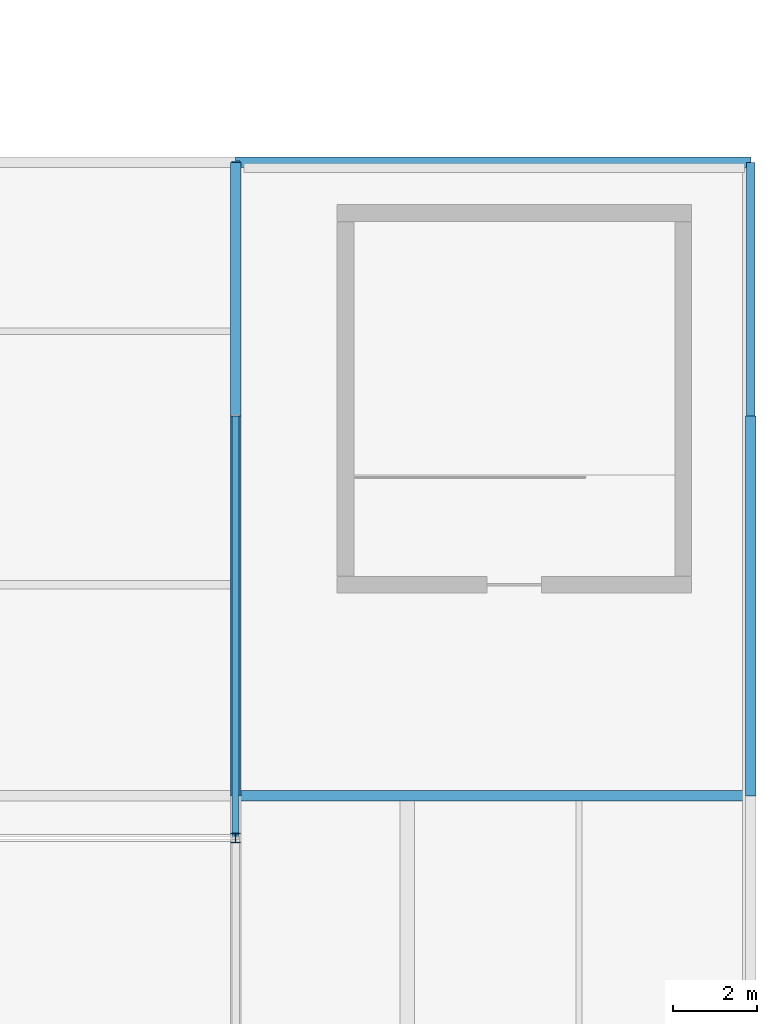
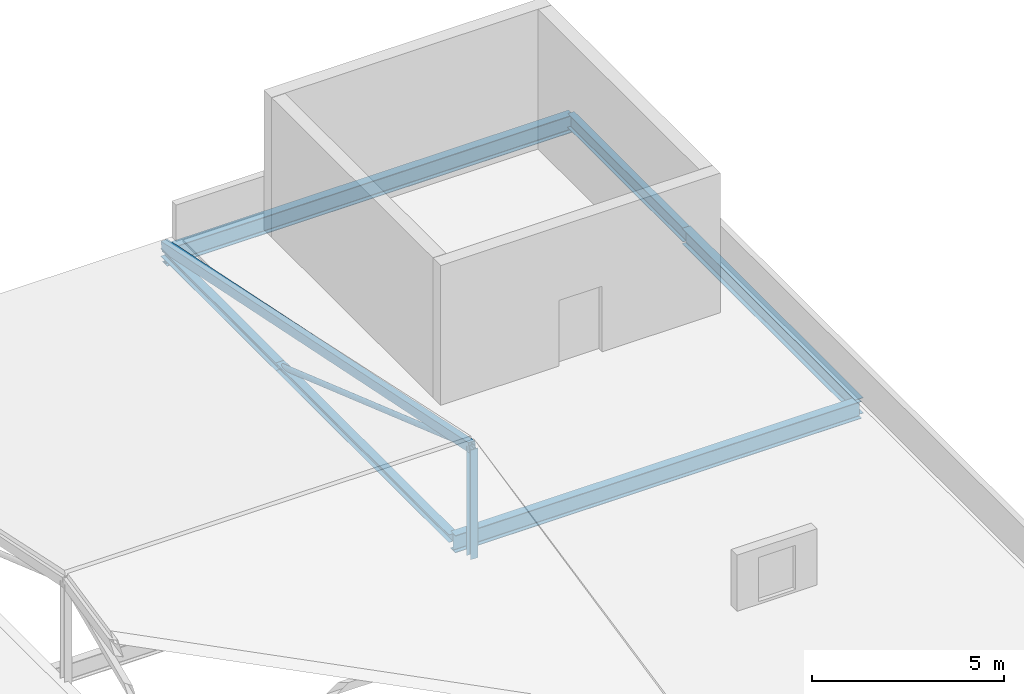
# One storey, part 44 of 85: 5 members, 4 beams.
"""IFC4 building model written with IfcOpenShell, lengths in metres."""

import ifcopenshell
import ifcopenshell.guid

model = None  # the IFC model being written
_history = None  # IfcOwnerHistory: only IFC2X3 demands one
_inside = {}  # id of a spatial element -> (the spatial element, [elements in it])
_under = {}  # id of a project, library or spatial element -> (it, [spatial elements below it])
_declared = {}  # id of a project -> (the project, [libraries it declares])
_typed = {}  # id of a type object -> (the type object, [elements of that type])
_made_of = {}  # id of a material, layer set ... -> (it, [elements and type objects made of it])


def new_model(schema):
    """Start an empty IFC model of exactly this schema.

    Asked for "IFC4X3", IfcOpenShell would pick the latest addendum, in which some entities
    have other attributes; the version numbers below select the first issue.
    IFC2X3 requires an IfcOwnerHistory on every rooted entity: one is made here for all.
    """
    global model, _history
    if schema == "IFC4X3":
        model = ifcopenshell.file(schema_version=(4, 3, 0, 0))
    else:
        model = ifcopenshell.file(schema=schema)
    _inside.clear()
    _under.clear()
    _declared.clear()
    _typed.clear()
    _made_of.clear()
    _history = None
    if model.schema == "IFC2X3":
        org = make("IfcOrganization", Name="unknown")
        user = make(
            "IfcPersonAndOrganization",
            ThePerson=make("IfcPerson", FamilyName="unknown"),
            TheOrganization=org,
        )
        app = make(
            "IfcApplication",
            ApplicationDeveloper=org,
            Version="unknown",
            ApplicationFullName="unknown",
            ApplicationIdentifier="unknown",
        )
        _history = make(
            "IfcOwnerHistory",
            OwningUser=user,
            OwningApplication=app,
            ChangeAction="ADDED",
            CreationDate=0,
        )
    return model


def make(cls, **values):
    """One entity of the class cls with the attributes given. An attribute that is None is left unset."""
    return model.create_entity(
        cls, **{name: value for name, value in values.items() if value is not None}
    )


def rooted(cls, **values):
    """An entity with a GlobalId (a new one), such as an element, a storey or a relation."""
    return make(cls, GlobalId=ifcopenshell.guid.new(), OwnerHistory=_history, **values)


def si_unit(unit_type, name, prefix=None):
    """IfcSIUnit, for example si_unit("LENGTHUNIT", "METRE", prefix="MILLI")."""
    return make("IfcSIUnit", UnitType=unit_type, Prefix=prefix, Name=name)


def derived_unit(unit_type, elements):
    """IfcDerivedUnit: a product of units, each with its exponent."""
    return make(
        "IfcDerivedUnit",
        Elements=[
            make("IfcDerivedUnitElement", Unit=unit, Exponent=power)
            for unit, power in elements
        ],
        UnitType=unit_type,
    )


def assignment(units):
    """IfcUnitAssignment: the units of a project."""
    return None if units is None else make("IfcUnitAssignment", Units=units)


def point(xyz):
    """IfcCartesianPoint."""
    return None if xyz is None else make("IfcCartesianPoint", Coordinates=xyz)


def direction(xyz):
    """IfcDirection."""
    return None if xyz is None else make("IfcDirection", DirectionRatios=xyz)


def frame(location, z_axis=None, x_axis=None):
    """IfcAxis2Placement3D, a coordinate frame: its origin and axes. An axis left out is left unset."""
    return make(
        "IfcAxis2Placement3D",
        Location=point(location),
        Axis=direction(z_axis),
        RefDirection=direction(x_axis),
    )


def frame_2d(location, x_axis=None):
    """IfcAxis2Placement2D, a coordinate frame in the plane: its origin and x axis."""
    return make(
        "IfcAxis2Placement2D", Location=point(location), RefDirection=direction(x_axis)
    )


def origin():
    """The frame at (0, 0, 0) with its axes left unset."""
    return frame((0.0, 0.0, 0.0))


def origin_2d():
    """The frame at (0, 0) in the plane with its x axis left unset."""
    return frame_2d((0.0, 0.0))


def place(relative_to, where):
    """IfcLocalPlacement: puts the frame where relative to a parent placement (None: the world)."""
    return make(
        "IfcLocalPlacement", PlacementRelTo=relative_to, RelativePlacement=where
    )


def context(
    kind, dimensions, precision=None, world=None, true_north=None, identifier=None
):
    """IfcGeometricRepresentationContext, for example the 3D "Model" context."""
    return make(
        "IfcGeometricRepresentationContext",
        ContextIdentifier=identifier,
        ContextType=kind,
        CoordinateSpaceDimension=dimensions,
        Precision=precision,
        WorldCoordinateSystem=world,
        TrueNorth=true_north,
    )


def subcontext(parent, identifier, kind, view, scale=None):
    """IfcGeometricRepresentationSubContext, for example "Body" below "Model"."""
    return make(
        "IfcGeometricRepresentationSubContext",
        ContextIdentifier=identifier,
        ContextType=kind,
        ParentContext=parent,
        TargetScale=scale,
        TargetView=view,
    )


def project(units=None, contexts=None):
    """IfcProject with its units and contexts."""
    return rooted(
        "IfcProject",
        Name="project",
        RepresentationContexts=contexts,
        UnitsInContext=assignment(units),
    )


def spatial(cls, under=None, at=None, **own):
    """A site, building, storey or space (cls), placed at a placement, below another one or the project."""
    s = rooted(cls, ObjectPlacement=at, **own)
    if under is not None:
        _under.setdefault(under.id(), (under, []))[1].append(s)
    return s


def profile(cls, at=None, kind="AREA", **sizes):
    """A parametric profile (cls). Its sizes go by their IFC names, for example OverallWidth=200.0."""
    return make(cls, ProfileType=kind, Position=at, **sizes)


def hollow_rectangle(**sizes):
    """IfcRectangleHollowProfileDef."""
    return profile("IfcRectangleHollowProfileDef", **sizes)


def hollow_circle(**sizes):
    """IfcCircleHollowProfileDef."""
    return profile("IfcCircleHollowProfileDef", **sizes)


def i_section(**sizes):
    """IfcIShapeProfileDef."""
    return profile("IfcIShapeProfileDef", **sizes)


def extrude(swept, where, along, depth):
    """IfcExtrudedAreaSolid: the profile swept, set in the frame where, extruded along a direction by depth."""
    return make(
        "IfcExtrudedAreaSolid",
        SweptArea=swept,
        Position=where,
        ExtrudedDirection=direction(along),
        Depth=depth,
    )


def shape(context_of_items, identifier, shape_type, items):
    """IfcShapeRepresentation: the items that make up one representation, for example the "Body"."""
    return make(
        "IfcShapeRepresentation",
        ContextOfItems=context_of_items,
        RepresentationIdentifier=identifier,
        RepresentationType=shape_type,
        Items=items,
    )


def material(Name=None, Category=None):
    """IfcMaterial."""
    return make("IfcMaterial", Name=Name, Category=Category)


def material_profile(
    of_material, cross_section, Name=None, Category=None, Priority=None
):
    """IfcMaterialProfile: a cross section and its material."""
    return make(
        "IfcMaterialProfile",
        Name=Name,
        Material=of_material,
        Profile=cross_section,
        Priority=Priority,
        Category=Category,
    )


def profile_set(profiles, Name=None, composite=None):
    """IfcMaterialProfileSet."""
    return make(
        "IfcMaterialProfileSet",
        Name=Name,
        MaterialProfiles=profiles,
        CompositeProfile=composite,
    )


def made_of(thing, what):
    """Note that an element or type object is made of a material, layer set ...; save() writes the relation."""
    if what is not None:
        _made_of.setdefault(what.id(), (what, []))[1].append(thing)
    return thing


def type_object(cls, material=None, **own):
    """A type object (cls), such as IfcWallType, which elements share."""
    return made_of(rooted(cls, **own), material)


def element(
    cls,
    number,
    at=None,
    inside=None,
    cuts=None,
    type_object=None,
    material=None,
    context=None,
    identifier="Body",
    shape_type=None,
    held_by="IfcProductDefinitionShape",
    body=None,
    shapes=None,
    **own,
):
    """One element of the class cls, such as IfcWall. Its Tag is "e" and its number.

    at: its placement. inside: the storey or other place that contains it. cuts: it is an
    opening in that element (IfcRelVoidsElement). A single representation is given by context,
    identifier, shape_type and body (its items); several are given by shapes. held_by: the class
    of the entity that holds the representations. save() writes the other relations.
    """
    e = rooted(cls, Tag="e%d" % number, ObjectPlacement=at, **own)
    if body is not None:
        shapes = [shape(context, identifier, shape_type, body)]
    if shapes is not None:
        e.Representation = make(held_by, Representations=shapes)
    if inside is not None:
        _inside.setdefault(inside.id(), (inside, []))[1].append(e)
    if cuts is not None:
        rooted(
            "IfcRelVoidsElement", RelatingBuildingElement=cuts, RelatedOpeningElement=e
        )
    if type_object is not None:
        _typed.setdefault(type_object.id(), (type_object, []))[1].append(e)
    return made_of(e, material)


def aggregate(whole, parts):
    """IfcRelAggregates: a whole, such as a stair, and the parts it consists of."""
    return rooted("IfcRelAggregates", RelatingObject=whole, RelatedObjects=parts)


def save(model, path):
    """Write the relations noted so far, then the file.

    IfcRelAggregates (storeys below a building ...), IfcRelContainedInSpatialStructure (elements
    in a storey), IfcRelDefinesByType, IfcRelAssociatesMaterial and IfcRelDeclares: one each for
    every whole, place, type object, material and project.
    """
    for whole, parts in _under.values():
        aggregate(whole, parts)
    for where, things in _inside.values():
        rooted(
            "IfcRelContainedInSpatialStructure",
            RelatedElements=things,
            RelatingStructure=where,
        )
    for kind, things in _typed.values():
        rooted("IfcRelDefinesByType", RelatedObjects=things, RelatingType=kind)
    for what, things in _made_of.values():
        rooted("IfcRelAssociatesMaterial", RelatedObjects=things, RelatingMaterial=what)
    for by, libraries in _declared.values():
        rooted("IfcRelDeclares", RelatingContext=by, RelatedDefinitions=libraries)
    model.write(path)


model = new_model("IFC4")

# Units and contexts
model_context = context("Model", 3, precision=1e-05, world=origin(), true_north=direction((0.0, 1.0)))
body_context = subcontext(model_context, "Body", "Model", "MODEL_VIEW")
ifc_project = project(units=[si_unit("LENGTHUNIT", "METRE"), si_unit("AREAUNIT", "SQUARE_METRE"), si_unit("VOLUMEUNIT", "CUBIC_METRE"), si_unit("PLANEANGLEUNIT", "RADIAN"), si_unit("MASSUNIT", "GRAM", prefix="KILO"), derived_unit("THERMALTRANSMITTANCEUNIT", [(si_unit("POWERUNIT", "WATT"), 1), (si_unit("LENGTHUNIT", "METRE"), -2), (si_unit("THERMODYNAMICTEMPERATUREUNIT", "KELVIN"), -1)])], contexts=[model_context])

# Site, building, storey
site_placement = place(None, origin())
site = spatial("IfcSite", under=ifc_project, at=site_placement, CompositionType="ELEMENT")
building_placement = place(site_placement, origin())
building = spatial("IfcBuilding", under=site, at=building_placement, Name="Nallur Shell Playhouse", CompositionType="ELEMENT")
storey_placement = place(building_placement, frame((0.0, 0.0, 19.800048828125)))
storey = spatial("IfcBuildingStorey", under=building, at=storey_placement, Name="L05", CompositionType="ELEMENT", Elevation=19.800048828125)

# Beams
ifc_material = material(Name="Steel E350", Category="steel")
ifc_material_profile_1 = material_profile(ifc_material, i_section(OverallWidth=0.199951171875, OverallDepth=0.449951171875, WebThickness=0.00927734375, FlangeThickness=0.015380859375, FilletRadius=0.013916015625, at=origin_2d()), Name="ISWB 450")
ifc_profile_set_1 = profile_set([ifc_material_profile_1], Name="Steel E350")
beam_type_1 = type_object("IfcBeamType", Name="BM-ST-ISWB450", PredefinedType="BEAM", material=ifc_profile_set_1)
beam_1_placement = place(storey_placement, frame((159.800048828125, 50.0, -0.47509765625), z_axis=(0.0, 1.0, 0.0), x_axis=(-1.0, 0.0, 0.0)))
element("IfcBeam", 1, at=beam_1_placement, inside=storey, type_object=beam_type_1, Name="L05 girder Y-19-1044", PredefinedType="BEAM", context=body_context, shape_type="SweptSolid", body=[
    extrude(i_section(OverallWidth=0.199951171875, OverallDepth=0.449951171875, WebThickness=0.00927734375, FlangeThickness=0.015380859375, FilletRadius=0.013916015625, at=origin_2d()), origin(), (0.0, 0.0, 1.0), 6.0),
])
ifc_material_profile_2 = material_profile(ifc_material, i_section(OverallWidth=0.25, OverallDepth=0.5, WebThickness=0.010009765625, FlangeThickness=0.0146484375, FilletRadius=0.014892578125, at=origin_2d()), Name="ISWB 500")
ifc_profile_set_2 = profile_set([ifc_material_profile_2], Name="Steel E350")
beam_type_2 = type_object("IfcBeamType", Name="BM-ST-ISWB500", PredefinedType="BEAM", material=ifc_profile_set_2)
beam_2_placement = place(storey_placement, frame((159.800048828125, 41.0, -0.5), z_axis=(0.0, 1.0, 0.0), x_axis=(-1.0, 0.0, 0.0)))
element("IfcBeam", 2, at=beam_2_placement, inside=storey, type_object=beam_type_2, Name="L05 girder Y-19-1043", PredefinedType="BEAM", context=body_context, shape_type="SweptSolid", body=[
    extrude(i_section(OverallWidth=0.25, OverallDepth=0.5, WebThickness=0.010009765625, FlangeThickness=0.0146484375, FilletRadius=0.014892578125, at=origin_2d()), origin(), (0.0, 0.0, 1.0), 9.0),
])
ifc_material_profile_3 = material_profile(ifc_material, i_section(OverallWidth=0.25, OverallDepth=0.550048828125, WebThickness=0.010498046875, FlangeThickness=0.017578125, FilletRadius=0.01611328125, at=origin_2d()), Name="ISWB 550")
ifc_profile_set_3 = profile_set([ifc_material_profile_3], Name="Steel E350")
beam_type_3 = type_object("IfcBeamType", Name="BM-ST-ISWB550", PredefinedType="BEAM", material=ifc_profile_set_3)
for number, where, z_axis, x_axis, name in (
    (3, (147.60009765625, 41.0, -0.525146484375), (1.0, 0.0, 0.0), (0.0, 1.0, 0.0), "L05 girder X-E-962"),
    (4, (147.60009765625, 56.0, -0.525146484375), (1.0, 0.0, 0.0), (0.0, 1.0, 0.0), "L05 girder X-G-978"),
):
    element("IfcBeam", number, at=place(storey_placement, frame(where, z_axis=z_axis, x_axis=x_axis)), inside=storey, type_object=beam_type_3, Name=name, PredefinedType="BEAM", context=body_context, shape_type="SweptSolid", body=[
        extrude(i_section(OverallWidth=0.25, OverallDepth=0.550048828125, WebThickness=0.010498046875, FlangeThickness=0.017578125, FilletRadius=0.01611328125, at=origin_2d()), origin(), (0.0, 0.0, 1.0), 12.199951171875),
    ])

# Members
ifc_material_profile_4 = material_profile(ifc_material, hollow_rectangle(XDim=0.199951171875, YDim=0.300048828125, WallThickness=0.011962890625, at=origin_2d()), Name="RHS 300x200x12")
ifc_profile_set_4 = profile_set([ifc_material_profile_4], Name="Steel E350")
member_type_1 = type_object("IfcMemberType", Name="MB-TR-CHORD1", PredefinedType="CHORD", material=ifc_profile_set_4)
member_1_placement = place(storey_placement, frame((147.60009765625, 40.0, 3.100830078125), z_axis=(0.0, 0.979376403383, -0.202044204311), x_axis=(-1.0, 0.0, 0.0)))
element("IfcMember", 5, at=member_1_placement, inside=storey, type_object=member_type_1, Name="ROOF TRUSS Studio north top chord X=147.6", PredefinedType="CHORD", context=body_context, shape_type="SweptSolid", body=[
    extrude(hollow_rectangle(XDim=0.199951171875, YDim=0.300048828125, WallThickness=0.011962890625, at=origin_2d()), origin(), (0.0, 0.0, 1.0), 16.3369140625),
])
ifc_material_profile_5 = material_profile(ifc_material, i_section(OverallWidth=0.25, OverallDepth=0.25, WebThickness=0.0087890625, FlangeThickness=0.009765625, FilletRadius=0.010009765625, at=origin_2d()), Name="ISHB 250")
ifc_profile_set_5 = profile_set([ifc_material_profile_5], Name="Steel E350")
member_type_2 = type_object("IfcMemberType", Name="MB-TR-CHORD2", PredefinedType="CHORD", material=ifc_profile_set_5)
member_2_placement = place(storey_placement, frame((147.60009765625, 41.0, -0.380126953125), z_axis=(0.0, 1.0, 0.0), x_axis=(-1.0, 0.0, 0.0)))
element("IfcMember", 6, at=member_2_placement, inside=storey, type_object=member_type_2, Name="ROOF TRUSS Studio bottom chord X=147.6 (41.0-50.0)", PredefinedType="CHORD", context=body_context, shape_type="SweptSolid", body=[
    extrude(i_section(OverallWidth=0.25, OverallDepth=0.25, WebThickness=0.0087890625, FlangeThickness=0.009765625, FilletRadius=0.010009765625, at=origin_2d()), origin(), (0.0, 0.0, 1.0), 9.0),
])
member_3_placement = place(storey_placement, frame((147.60009765625, 50.0, -0.380126953125), z_axis=(0.0, 1.0, 0.0), x_axis=(-1.0, 0.0, 0.0)))
element("IfcMember", 7, at=member_3_placement, inside=storey, type_object=member_type_2, Name="ROOF TRUSS Studio bottom chord X=147.6 (50.0-56.0)", PredefinedType="CHORD", context=body_context, shape_type="SweptSolid", body=[
    extrude(i_section(OverallWidth=0.25, OverallDepth=0.25, WebThickness=0.0087890625, FlangeThickness=0.009765625, FilletRadius=0.010009765625, at=origin_2d()), origin(), (0.0, 0.0, 1.0), 6.0),
])
ifc_material_profile_6 = material_profile(ifc_material, i_section(OverallWidth=0.22509765625, OverallDepth=0.22509765625, WebThickness=0.008544921875, FlangeThickness=0.009033203125, FilletRadius=0.010009765625, at=origin_2d()), Name="ISHB 225")
ifc_profile_set_6 = profile_set([ifc_material_profile_6], Name="Steel E350")
member_type_3 = type_object("IfcMemberType", Name="MB-TR-POST", PredefinedType="POST", material=ifc_profile_set_6)
member_4_placement = place(storey_placement, frame((147.60009765625, 40.0, -0.380126953125), z_axis=(0.0, 0.0, 1.0), x_axis=(1.0, 0.0, 0.0)))
element("IfcMember", 8, at=member_4_placement, inside=storey, type_object=member_type_3, Name="ROOF TRUSS Studio king post X=147.6", PredefinedType="POST", context=body_context, shape_type="SweptSolid", body=[
    extrude(i_section(OverallWidth=0.22509765625, OverallDepth=0.22509765625, WebThickness=0.008544921875, FlangeThickness=0.009033203125, FilletRadius=0.010009765625, at=origin_2d()), origin(), (0.0, 0.0, 1.0), 3.48095703125),
])
ifc_material_profile_7 = material_profile(ifc_material, hollow_circle(Radius=0.084228515625, WallThickness=0.008056640625, at=origin_2d()), Name="CHS 168.3x8")
ifc_profile_set_7 = profile_set([ifc_material_profile_7], Name="Steel E350")
member_type_4 = type_object("IfcMemberType", Name="MB-TR-WEB3", PredefinedType="BRACE", material=ifc_profile_set_7)
member_5_placement = place(storey_placement, frame((147.60009765625, 50.0, -0.380126953125), z_axis=(0.0, -0.944417761002, 0.32874776456), x_axis=(1.0, 0.0, 0.0)))
element("IfcMember", 9, at=member_5_placement, inside=storey, type_object=member_type_4, Name="ROOF TRUSS Studio web diagonal 147.6.2", PredefinedType="BRACE", context=body_context, shape_type="SweptSolid", body=[
    extrude(hollow_circle(Radius=0.084228515625, WallThickness=0.008056640625, at=origin_2d()), origin(), (0.0, 0.0, 1.0), 10.588623046875),
])

save(model, "model.ifc")
